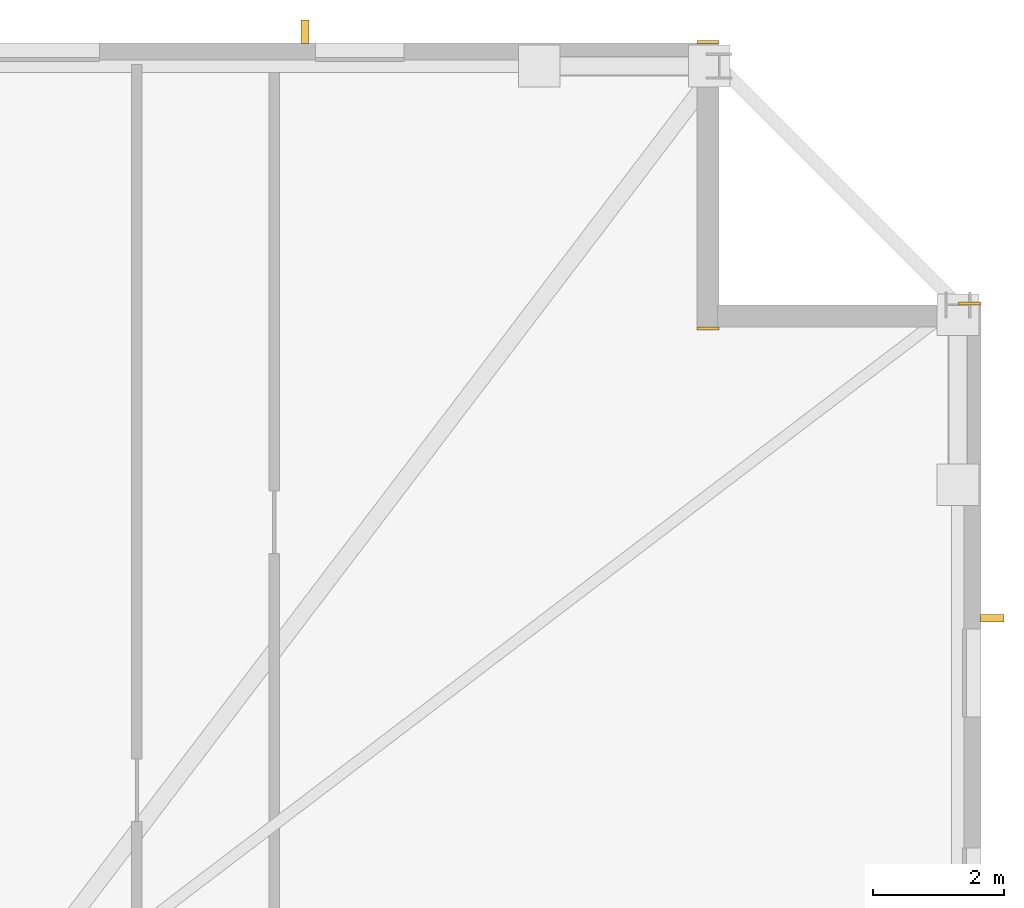
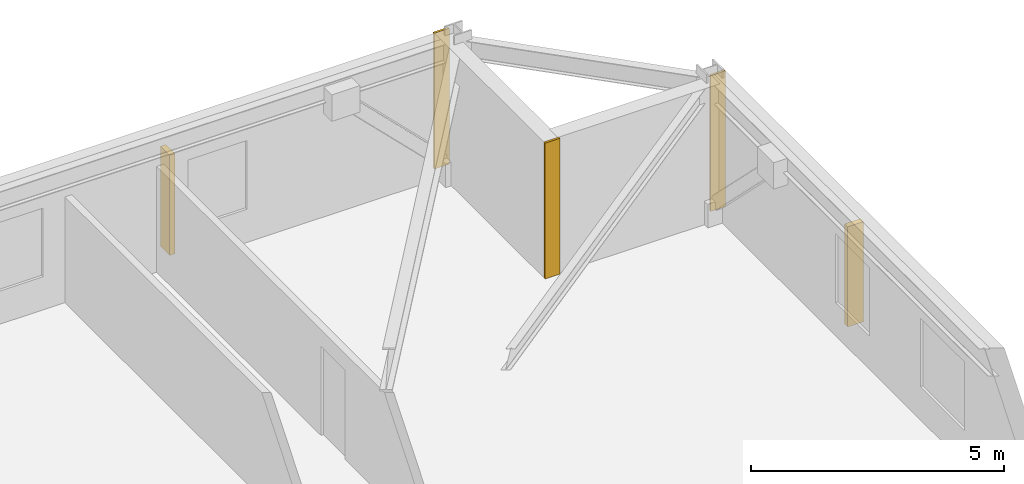
# One storey, part 10 of 10: 3 coverings, 2 shading devices.
"""IFC4 building model written with IfcOpenShell, lengths in metres."""

from ifc_helpers import new_model, si_unit, direction, frame, frame_2d, origin, origin_2d, place, context, subcontext, project, spatial, rectangle, extrude, material, layer, layer_set, type_object, element, save


model = new_model("IFC4")

# Units and contexts
model_context = context("Model", 3, precision=1e-05, world=origin(), true_north=direction((0.0, 1.0)))
body_context = subcontext(model_context, "Body", "Model", "MODEL_VIEW")
ifc_project = project(units=[si_unit("LENGTHUNIT", "METRE"), si_unit("AREAUNIT", "SQUARE_METRE"), si_unit("VOLUMEUNIT", "CUBIC_METRE"), si_unit("PLANEANGLEUNIT", "RADIAN"), si_unit("MASSUNIT", "GRAM", prefix="KILO")], contexts=[model_context])

# Site, building, storey
site_placement = place(None, origin())
site = spatial("IfcSite", under=ifc_project, at=site_placement, CompositionType="ELEMENT")
building_placement = place(site_placement, origin())
building = spatial("IfcBuilding", under=site, at=building_placement, Name="Cairnveth Concourse Tower", CompositionType="ELEMENT")
storey_placement = place(building_placement, frame((0.0, 0.0, 113.0)))
storey = spatial("IfcBuildingStorey", under=building, at=storey_placement, Name="L30", CompositionType="ELEMENT", Elevation=113.0)

# Coverings
ifc_material_1 = material(Name="Dressed Melbourne Bluestone Cladding", Category="masonry")
ifc_layer = layer(ifc_material_1, 0.050048828125)
ifc_layer_set = layer_set([ifc_layer], Name="Dressed Melbourne Bluestone Cladding")
covering_type = type_object("IfcCoveringType", Name="DRESSED BLUESTONE PLINTH CLADDING 50", PredefinedType="CLADDING", material=ifc_layer_set)
for number, where, z_axis, x_axis, name in (
    (1, (71.659912109375, 63.02001953125, 0.0), (0.0, 0.0, 1.0), (1.0, 0.0, 0.0), "Melbourne Bluestone Corner Quoin L30-423"),
    (2, (71.659912109375, 58.639892578125, 0.0), (0.0, 0.0, 1.0), (1.0, 0.0, 0.0), "Melbourne Bluestone Corner Quoin L30-424"),
    (3, (75.659912109375, 59.02001953125, 0.0), (0.0, 0.0, 1.0), (1.0, 0.0, 0.0), "Melbourne Bluestone Corner Quoin L30-425"),
):
    element("IfcCovering", number, at=place(storey_placement, frame(where, z_axis=z_axis, x_axis=x_axis)), inside=storey, type_object=covering_type, Name=name, PredefinedType="CLADDING", context=body_context, shape_type="SweptSolid", body=[
        extrude(rectangle(XDim=0.340087890625, YDim=0.050048828125, at=frame_2d((0.169921875, 0.0))), origin(), (0.0, 0.0, 1.0), 3.280029296875),
    ])

# Shading devices
ifc_material_2 = material(Name="Architectural Bronze Anodised Aluminium 6063-T6", Category="aluminium")
shading_device_type = type_object("IfcShadingDeviceType", Name="GOTHIC BRONZE VERTICAL LANCET FIN", PredefinedType="USERDEFINED", material=ifc_material_2)
for number, where, z_axis, x_axis, name in (
    (4, (65.670166015625, 63.175048828125, 0.030029296875), (0.0, 0.0, 1.0), (1.0, 0.0, 0.0), "Gothic Bronze Vertical Fin L30-3-9"),
    (5, (76.175048828125, 54.208251953125, 0.030029296875), (0.0, 0.0, 1.0), (0.0, 1.0, 0.0), "Gothic Bronze Vertical Fin L30-6-1"),
):
    element("IfcShadingDevice", number, at=place(storey_placement, frame(where, z_axis=z_axis, x_axis=x_axis)), inside=storey, type_object=shading_device_type, Name=name, ObjectType="VERTICAL FIN", PredefinedType="USERDEFINED", context=body_context, shape_type="SweptSolid", body=[
        extrude(rectangle(XDim=0.1201171875, YDim=0.360107421875, at=origin_2d()), origin(), (0.0, 0.0, 1.0), 2.419921875),
    ])

save(model, "model.ifc")
